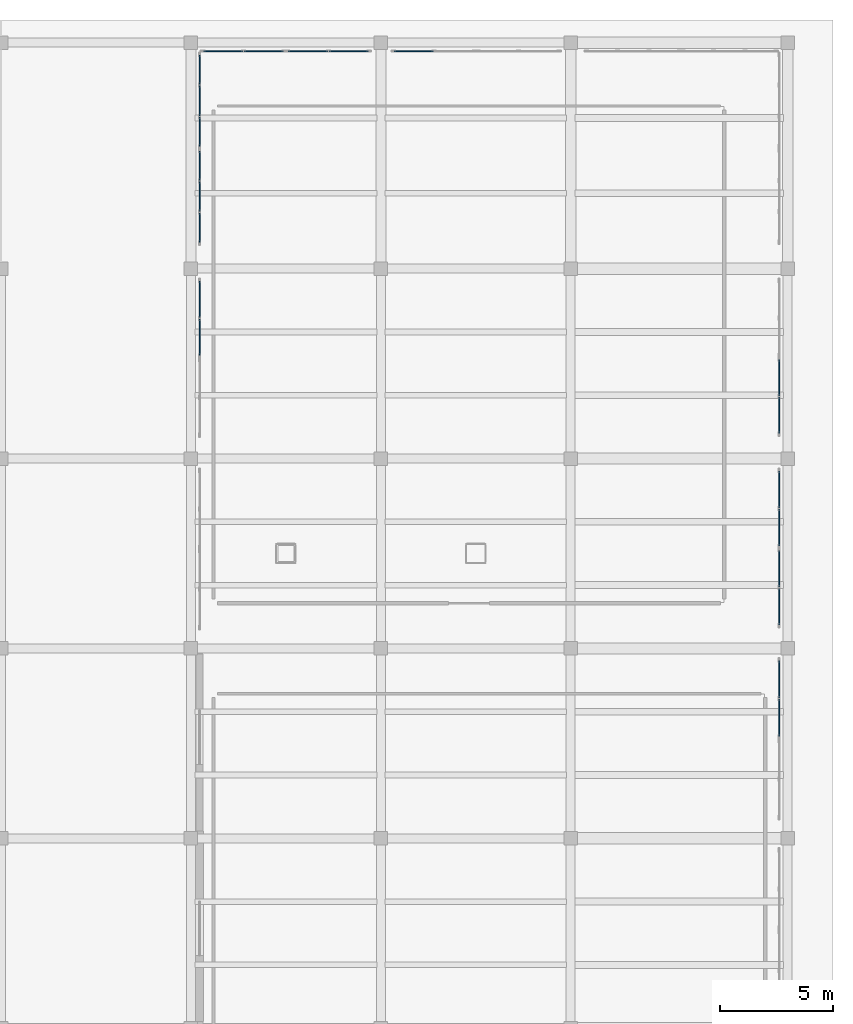
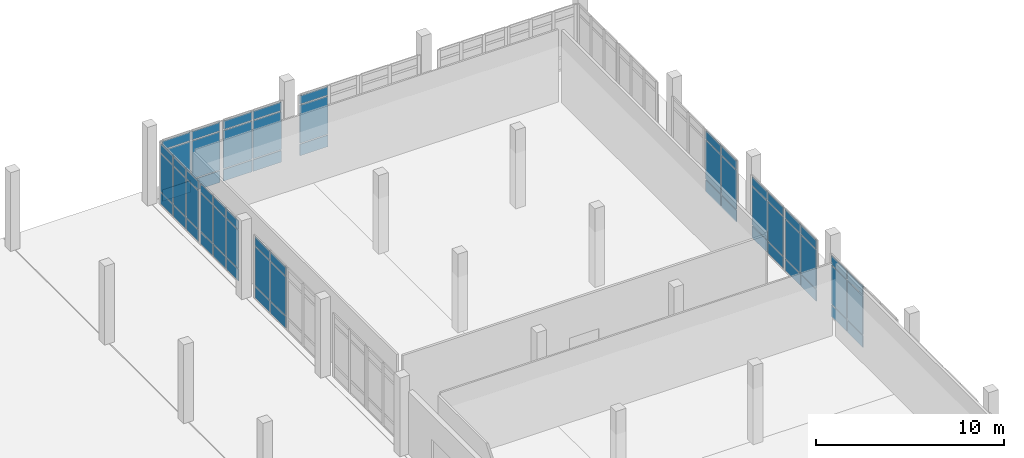
# One storey, part 42 of 64: 63 plates, 10 elements without a shape of their own.
"""IFC4 building model written with IfcOpenShell, lengths in metres."""

import ifcopenshell
import ifcopenshell.guid

model = None  # the IFC model being written
_history = None  # IfcOwnerHistory: only IFC2X3 demands one
_inside = {}  # id of a spatial element -> (the spatial element, [elements in it])
_under = {}  # id of a project, library or spatial element -> (it, [spatial elements below it])
_declared = {}  # id of a project -> (the project, [libraries it declares])
_typed = {}  # id of a type object -> (the type object, [elements of that type])
_made_of = {}  # id of a material, layer set ... -> (it, [elements and type objects made of it])


def new_model(schema):
    """Start an empty IFC model of exactly this schema.

    Asked for "IFC4X3", IfcOpenShell would pick the latest addendum, in which some entities
    have other attributes; the version numbers below select the first issue.
    IFC2X3 requires an IfcOwnerHistory on every rooted entity: one is made here for all.
    """
    global model, _history
    if schema == "IFC4X3":
        model = ifcopenshell.file(schema_version=(4, 3, 0, 0))
    else:
        model = ifcopenshell.file(schema=schema)
    _inside.clear()
    _under.clear()
    _declared.clear()
    _typed.clear()
    _made_of.clear()
    _history = None
    if model.schema == "IFC2X3":
        org = make("IfcOrganization", Name="unknown")
        user = make(
            "IfcPersonAndOrganization",
            ThePerson=make("IfcPerson", FamilyName="unknown"),
            TheOrganization=org,
        )
        app = make(
            "IfcApplication",
            ApplicationDeveloper=org,
            Version="unknown",
            ApplicationFullName="unknown",
            ApplicationIdentifier="unknown",
        )
        _history = make(
            "IfcOwnerHistory",
            OwningUser=user,
            OwningApplication=app,
            ChangeAction="ADDED",
            CreationDate=0,
        )
    return model


def make(cls, **values):
    """One entity of the class cls with the attributes given. An attribute that is None is left unset."""
    return model.create_entity(
        cls, **{name: value for name, value in values.items() if value is not None}
    )


def rooted(cls, **values):
    """An entity with a GlobalId (a new one), such as an element, a storey or a relation."""
    return make(cls, GlobalId=ifcopenshell.guid.new(), OwnerHistory=_history, **values)


def si_unit(unit_type, name, prefix=None):
    """IfcSIUnit, for example si_unit("LENGTHUNIT", "METRE", prefix="MILLI")."""
    return make("IfcSIUnit", UnitType=unit_type, Prefix=prefix, Name=name)


def derived_unit(unit_type, elements):
    """IfcDerivedUnit: a product of units, each with its exponent."""
    return make(
        "IfcDerivedUnit",
        Elements=[
            make("IfcDerivedUnitElement", Unit=unit, Exponent=power)
            for unit, power in elements
        ],
        UnitType=unit_type,
    )


def assignment(units):
    """IfcUnitAssignment: the units of a project."""
    return None if units is None else make("IfcUnitAssignment", Units=units)


def point(xyz):
    """IfcCartesianPoint."""
    return None if xyz is None else make("IfcCartesianPoint", Coordinates=xyz)


def direction(xyz):
    """IfcDirection."""
    return None if xyz is None else make("IfcDirection", DirectionRatios=xyz)


def frame(location, z_axis=None, x_axis=None):
    """IfcAxis2Placement3D, a coordinate frame: its origin and axes. An axis left out is left unset."""
    return make(
        "IfcAxis2Placement3D",
        Location=point(location),
        Axis=direction(z_axis),
        RefDirection=direction(x_axis),
    )


def frame_2d(location, x_axis=None):
    """IfcAxis2Placement2D, a coordinate frame in the plane: its origin and x axis."""
    return make(
        "IfcAxis2Placement2D", Location=point(location), RefDirection=direction(x_axis)
    )


def origin():
    """The frame at (0, 0, 0) with its axes left unset."""
    return frame((0.0, 0.0, 0.0))


def origin_2d():
    """The frame at (0, 0) in the plane with its x axis left unset."""
    return frame_2d((0.0, 0.0))


def place(relative_to, where):
    """IfcLocalPlacement: puts the frame where relative to a parent placement (None: the world)."""
    return make(
        "IfcLocalPlacement", PlacementRelTo=relative_to, RelativePlacement=where
    )


def context(
    kind, dimensions, precision=None, world=None, true_north=None, identifier=None
):
    """IfcGeometricRepresentationContext, for example the 3D "Model" context."""
    return make(
        "IfcGeometricRepresentationContext",
        ContextIdentifier=identifier,
        ContextType=kind,
        CoordinateSpaceDimension=dimensions,
        Precision=precision,
        WorldCoordinateSystem=world,
        TrueNorth=true_north,
    )


def subcontext(parent, identifier, kind, view, scale=None):
    """IfcGeometricRepresentationSubContext, for example "Body" below "Model"."""
    return make(
        "IfcGeometricRepresentationSubContext",
        ContextIdentifier=identifier,
        ContextType=kind,
        ParentContext=parent,
        TargetScale=scale,
        TargetView=view,
    )


def project(units=None, contexts=None):
    """IfcProject with its units and contexts."""
    return rooted(
        "IfcProject",
        Name="project",
        RepresentationContexts=contexts,
        UnitsInContext=assignment(units),
    )


def spatial(cls, under=None, at=None, **own):
    """A site, building, storey or space (cls), placed at a placement, below another one or the project."""
    s = rooted(cls, ObjectPlacement=at, **own)
    if under is not None:
        _under.setdefault(under.id(), (under, []))[1].append(s)
    return s


def profile(cls, at=None, kind="AREA", **sizes):
    """A parametric profile (cls). Its sizes go by their IFC names, for example OverallWidth=200.0."""
    return make(cls, ProfileType=kind, Position=at, **sizes)


def rectangle(**sizes):
    """IfcRectangleProfileDef."""
    return profile("IfcRectangleProfileDef", **sizes)


def extrude(swept, where, along, depth):
    """IfcExtrudedAreaSolid: the profile swept, set in the frame where, extruded along a direction by depth."""
    return make(
        "IfcExtrudedAreaSolid",
        SweptArea=swept,
        Position=where,
        ExtrudedDirection=direction(along),
        Depth=depth,
    )


def shape(context_of_items, identifier, shape_type, items):
    """IfcShapeRepresentation: the items that make up one representation, for example the "Body"."""
    return make(
        "IfcShapeRepresentation",
        ContextOfItems=context_of_items,
        RepresentationIdentifier=identifier,
        RepresentationType=shape_type,
        Items=items,
    )


def material(Name=None, Category=None):
    """IfcMaterial."""
    return make("IfcMaterial", Name=Name, Category=Category)


def layer(
    of_material, thickness, ventilated=None, Name=None, Category=None, Priority=None
):
    """IfcMaterialLayer: one layer of a wall or slab, of a material (None: an air gap)."""
    return make(
        "IfcMaterialLayer",
        Material=of_material,
        LayerThickness=thickness,
        IsVentilated=ventilated,
        Name=Name,
        Category=Category,
        Priority=Priority,
    )


def layer_set(layers, Name=None):
    """IfcMaterialLayerSet."""
    return make("IfcMaterialLayerSet", MaterialLayers=layers, LayerSetName=Name)


def made_of(thing, what):
    """Note that an element or type object is made of a material, layer set ...; save() writes the relation."""
    if what is not None:
        _made_of.setdefault(what.id(), (what, []))[1].append(thing)
    return thing


def type_object(cls, material=None, **own):
    """A type object (cls), such as IfcWallType, which elements share."""
    return made_of(rooted(cls, **own), material)


def element(
    cls,
    number,
    at=None,
    inside=None,
    cuts=None,
    type_object=None,
    material=None,
    context=None,
    identifier="Body",
    shape_type=None,
    held_by="IfcProductDefinitionShape",
    body=None,
    shapes=None,
    **own,
):
    """One element of the class cls, such as IfcWall. Its Tag is "e" and its number.

    at: its placement. inside: the storey or other place that contains it. cuts: it is an
    opening in that element (IfcRelVoidsElement). A single representation is given by context,
    identifier, shape_type and body (its items); several are given by shapes. held_by: the class
    of the entity that holds the representations. save() writes the other relations.
    """
    e = rooted(cls, Tag="e%d" % number, ObjectPlacement=at, **own)
    if body is not None:
        shapes = [shape(context, identifier, shape_type, body)]
    if shapes is not None:
        e.Representation = make(held_by, Representations=shapes)
    if inside is not None:
        _inside.setdefault(inside.id(), (inside, []))[1].append(e)
    if cuts is not None:
        rooted(
            "IfcRelVoidsElement", RelatingBuildingElement=cuts, RelatedOpeningElement=e
        )
    if type_object is not None:
        _typed.setdefault(type_object.id(), (type_object, []))[1].append(e)
    return made_of(e, material)


def aggregate(whole, parts):
    """IfcRelAggregates: a whole, such as a stair, and the parts it consists of."""
    return rooted("IfcRelAggregates", RelatingObject=whole, RelatedObjects=parts)


def save(model, path):
    """Write the relations noted so far, then the file.

    IfcRelAggregates (storeys below a building ...), IfcRelContainedInSpatialStructure (elements
    in a storey), IfcRelDefinesByType, IfcRelAssociatesMaterial and IfcRelDeclares: one each for
    every whole, place, type object, material and project.
    """
    for whole, parts in _under.values():
        aggregate(whole, parts)
    for where, things in _inside.values():
        rooted(
            "IfcRelContainedInSpatialStructure",
            RelatedElements=things,
            RelatingStructure=where,
        )
    for kind, things in _typed.values():
        rooted("IfcRelDefinesByType", RelatedObjects=things, RelatingType=kind)
    for what, things in _made_of.values():
        rooted("IfcRelAssociatesMaterial", RelatedObjects=things, RelatingMaterial=what)
    for by, libraries in _declared.values():
        rooted("IfcRelDeclares", RelatingContext=by, RelatedDefinitions=libraries)
    model.write(path)


model = new_model("IFC4")

# Units and contexts
model_context = context("Model", 3, precision=1e-05, world=origin(), true_north=direction((0.0, 1.0)))
body_context = subcontext(model_context, "Body", "Model", "MODEL_VIEW")
ifc_project = project(units=[si_unit("LENGTHUNIT", "METRE"), si_unit("AREAUNIT", "SQUARE_METRE"), si_unit("VOLUMEUNIT", "CUBIC_METRE"), si_unit("PLANEANGLEUNIT", "RADIAN"), si_unit("MASSUNIT", "GRAM", prefix="KILO"), derived_unit("THERMALTRANSMITTANCEUNIT", [(si_unit("POWERUNIT", "WATT"), 1), (si_unit("LENGTHUNIT", "METRE"), -2), (si_unit("THERMODYNAMICTEMPERATUREUNIT", "KELVIN"), -1)])], contexts=[model_context])

# Site, building, storey
site_placement = place(None, origin())
site = spatial("IfcSite", under=ifc_project, at=site_placement, CompositionType="ELEMENT")
building_placement = place(site_placement, origin())
building = spatial("IfcBuilding", under=site, at=building_placement, Name="Elbkamm Science Centre", CompositionType="ELEMENT")
storey_placement = place(building_placement, origin())
storey = spatial("IfcBuildingStorey", under=building, at=storey_placement, Name="L00", CompositionType="ELEMENT", Elevation=0.0)

# Curtain wall, plates
ifc_material_1 = material(Name="Powder-coated aluminium and triple low-E glazing", Category="aluminium")
ifc_layer_1 = layer(ifc_material_1, 0.159912109375)
ifc_layer_set_1 = layer_set([ifc_layer_1], Name="Powder-coated aluminium and triple low-E glazing")
curtain_wall_type_1 = type_object("IfcCurtainWallType", Name="CW-UNIT-3420x4080", PredefinedType="USERDEFINED", material=ifc_layer_set_1)
curtain_wall_1_placement = place(storey_placement, origin())
curtain_wall_1 = element("IfcCurtainWall", 1, at=curtain_wall_1_placement, inside=storey, type_object=curtain_wall_type_1, Name="L00 Unitised Curtain Wall 105", ObjectType="UNITISED CURTAIN WALL", PredefinedType="USERDEFINED")
ifc_material_2 = material(Name="Triple solar-control insulated safety glass", Category="glass")
ifc_layer_2 = layer(ifc_material_2, 0.048095703125)
ifc_layer_set_2 = layer_set([ifc_layer_2], Name="Triple solar-control insulated safety glass")
plate_type = type_object("IfcPlateType", Name="CW-PNL-48", PredefinedType="CURTAIN_PANEL", material=ifc_layer_set_2)
plate_1_placement = place(storey_placement, frame((134.780029296875, 97.767333984375, 0.06982421875), z_axis=(0.0, 0.0, 1.0), x_axis=(0.0, 1.0, 0.0)))
plate_1 = element("IfcPlate", 2, at=plate_1_placement, type_object=plate_type, Name="CW-052 panel 1.1", PredefinedType="CURTAIN_PANEL", context=body_context, shape_type="SweptSolid", body=[
    extrude(rectangle(XDim=1.604248046875, YDim=0.048095703125, at=origin_2d()), origin(), (0.0, 0.0, 1.0), 0.7451171875),
])
plate_2_placement = place(storey_placement, frame((134.780029296875, 97.767333984375, 0.884765625), z_axis=(0.0, 0.0, 1.0), x_axis=(0.0, 1.0, 0.0)))
plate_2 = element("IfcPlate", 3, at=plate_2_placement, type_object=plate_type, Name="CW-052 panel 1.2", PredefinedType="CURTAIN_PANEL", context=body_context, shape_type="SweptSolid", body=[
    extrude(rectangle(XDim=1.604248046875, YDim=0.048095703125, at=origin_2d()), origin(), (0.0, 0.0, 1.0), 2.510009765625),
])
plate_3_placement = place(storey_placement, frame((134.780029296875, 97.767333984375, 3.465087890625), z_axis=(0.0, 0.0, 1.0), x_axis=(0.0, 1.0, 0.0)))
plate_3 = element("IfcPlate", 4, at=plate_3_placement, type_object=plate_type, Name="CW-052 panel 1.3", PredefinedType="CURTAIN_PANEL", context=body_context, shape_type="SweptSolid", body=[
    extrude(rectangle(XDim=1.604248046875, YDim=0.048095703125, at=origin_2d()), origin(), (0.0, 0.0, 1.0), 0.544921875),
])
plate_4_placement = place(storey_placement, frame((134.780029296875, 99.441650390625, 0.06982421875), z_axis=(0.0, 0.0, 1.0), x_axis=(0.0, 1.0, 0.0)))
plate_4 = element("IfcPlate", 5, at=plate_4_placement, type_object=plate_type, Name="CW-052 panel 2.1", PredefinedType="CURTAIN_PANEL", context=body_context, shape_type="SweptSolid", body=[
    extrude(rectangle(XDim=1.604248046875, YDim=0.048095703125, at=origin_2d()), origin(), (0.0, 0.0, 1.0), 0.7451171875),
])
plate_5_placement = place(storey_placement, frame((134.780029296875, 99.441650390625, 0.884765625), z_axis=(0.0, 0.0, 1.0), x_axis=(0.0, 1.0, 0.0)))
plate_5 = element("IfcPlate", 6, at=plate_5_placement, type_object=plate_type, Name="CW-052 panel 2.2", PredefinedType="CURTAIN_PANEL", context=body_context, shape_type="SweptSolid", body=[
    extrude(rectangle(XDim=1.604248046875, YDim=0.048095703125, at=origin_2d()), origin(), (0.0, 0.0, 1.0), 2.510009765625),
])
plate_6_placement = place(storey_placement, frame((134.780029296875, 99.441650390625, 3.465087890625), z_axis=(0.0, 0.0, 1.0), x_axis=(0.0, 1.0, 0.0)))
plate_6 = element("IfcPlate", 7, at=plate_6_placement, type_object=plate_type, Name="CW-052 panel 2.3", PredefinedType="CURTAIN_PANEL", context=body_context, shape_type="SweptSolid", body=[
    extrude(rectangle(XDim=1.604248046875, YDim=0.048095703125, at=origin_2d()), origin(), (0.0, 0.0, 1.0), 0.544921875),
])
aggregate(curtain_wall_1, [plate_1, plate_2, plate_3, plate_4, plate_5, plate_6])

ifc_layer_3 = layer(ifc_material_1, 0.159912109375)
ifc_layer_set_3 = layer_set([ifc_layer_3], Name="Powder-coated aluminium and triple low-E glazing")
curtain_wall_type_2 = type_object("IfcCurtainWallType", Name="CW-UNIT-4160x4040", PredefinedType="USERDEFINED", material=ifc_layer_set_3)
curtain_wall_2_placement = place(storey_placement, origin())
curtain_wall_2 = element("IfcCurtainWall", 8, at=curtain_wall_2_placement, inside=storey, type_object=curtain_wall_type_2, Name="L00 Unitised Curtain Wall 106", ObjectType="UNITISED CURTAIN WALL", PredefinedType="USERDEFINED")
plate_7_placement = place(storey_placement, frame((134.780029296875, 102.61962890625, 0.06982421875), z_axis=(0.0, 0.0, 1.0), x_axis=(0.0, 1.0, 0.0)))
plate_7 = element("IfcPlate", 9, at=plate_7_placement, type_object=plate_type, Name="CW-053 panel 1.1", PredefinedType="CURTAIN_PANEL", context=body_context, shape_type="SweptSolid", body=[
    extrude(rectangle(XDim=1.282470703125, YDim=0.048095703125, at=origin_2d()), origin(), (0.0, 0.0, 1.0), 0.7451171875),
])
plate_8_placement = place(storey_placement, frame((134.780029296875, 102.61962890625, 0.885009765625), z_axis=(0.0, 0.0, 1.0), x_axis=(0.0, 1.0, 0.0)))
plate_8 = element("IfcPlate", 10, at=plate_8_placement, type_object=plate_type, Name="CW-053 panel 1.2", PredefinedType="CURTAIN_PANEL", context=body_context, shape_type="SweptSolid", body=[
    extrude(rectangle(XDim=1.282470703125, YDim=0.048095703125, at=origin_2d()), origin(), (0.0, 0.0, 1.0), 2.4599609375),
])
plate_9_placement = place(storey_placement, frame((134.780029296875, 102.61962890625, 3.4150390625), z_axis=(0.0, 0.0, 1.0), x_axis=(0.0, 1.0, 0.0)))
plate_9 = element("IfcPlate", 11, at=plate_9_placement, type_object=plate_type, Name="CW-053 panel 1.3", PredefinedType="CURTAIN_PANEL", context=body_context, shape_type="SweptSolid", body=[
    extrude(rectangle(XDim=1.282470703125, YDim=0.048095703125, at=origin_2d()), origin(), (0.0, 0.0, 1.0), 0.544921875),
])
plate_10_placement = place(storey_placement, frame((134.780029296875, 103.98974609375, 0.06982421875), z_axis=(0.0, 0.0, 1.0), x_axis=(0.0, 1.0, 0.0)))
plate_10 = element("IfcPlate", 12, at=plate_10_placement, type_object=plate_type, Name="CW-053 panel 2.1", PredefinedType="CURTAIN_PANEL", context=body_context, shape_type="SweptSolid", body=[
    extrude(rectangle(XDim=1.317626953125, YDim=0.048095703125, at=origin_2d()), origin(), (0.0, 0.0, 1.0), 0.7451171875),
])
plate_11_placement = place(storey_placement, frame((134.780029296875, 103.98974609375, 0.885009765625), z_axis=(0.0, 0.0, 1.0), x_axis=(0.0, 1.0, 0.0)))
plate_11 = element("IfcPlate", 13, at=plate_11_placement, type_object=plate_type, Name="CW-053 panel 2.2", PredefinedType="CURTAIN_PANEL", context=body_context, shape_type="SweptSolid", body=[
    extrude(rectangle(XDim=1.317626953125, YDim=0.048095703125, at=origin_2d()), origin(), (0.0, 0.0, 1.0), 2.4599609375),
])
plate_12_placement = place(storey_placement, frame((134.780029296875, 103.98974609375, 3.4150390625), z_axis=(0.0, 0.0, 1.0), x_axis=(0.0, 1.0, 0.0)))
plate_12 = element("IfcPlate", 14, at=plate_12_placement, type_object=plate_type, Name="CW-053 panel 2.3", PredefinedType="CURTAIN_PANEL", context=body_context, shape_type="SweptSolid", body=[
    extrude(rectangle(XDim=1.317626953125, YDim=0.048095703125, at=origin_2d()), origin(), (0.0, 0.0, 1.0), 0.544921875),
])
plate_13_placement = place(storey_placement, frame((134.780029296875, 105.359619140625, 0.06982421875), z_axis=(0.0, 0.0, 1.0), x_axis=(0.0, 1.0, 0.0)))
plate_13 = element("IfcPlate", 15, at=plate_13_placement, type_object=plate_type, Name="CW-053 panel 3.1", PredefinedType="CURTAIN_PANEL", context=body_context, shape_type="SweptSolid", body=[
    extrude(rectangle(XDim=1.282470703125, YDim=0.048095703125, at=origin_2d()), origin(), (0.0, 0.0, 1.0), 0.7451171875),
])
plate_14_placement = place(storey_placement, frame((134.780029296875, 105.359619140625, 0.885009765625), z_axis=(0.0, 0.0, 1.0), x_axis=(0.0, 1.0, 0.0)))
plate_14 = element("IfcPlate", 16, at=plate_14_placement, type_object=plate_type, Name="CW-053 panel 3.2", PredefinedType="CURTAIN_PANEL", context=body_context, shape_type="SweptSolid", body=[
    extrude(rectangle(XDim=1.282470703125, YDim=0.048095703125, at=origin_2d()), origin(), (0.0, 0.0, 1.0), 2.4599609375),
])
plate_15_placement = place(storey_placement, frame((134.780029296875, 105.359619140625, 3.4150390625), z_axis=(0.0, 0.0, 1.0), x_axis=(0.0, 1.0, 0.0)))
plate_15 = element("IfcPlate", 17, at=plate_15_placement, type_object=plate_type, Name="CW-053 panel 3.3", PredefinedType="CURTAIN_PANEL", context=body_context, shape_type="SweptSolid", body=[
    extrude(rectangle(XDim=1.282470703125, YDim=0.048095703125, at=origin_2d()), origin(), (0.0, 0.0, 1.0), 0.544921875),
])
aggregate(curtain_wall_2, [plate_7, plate_8, plate_9, plate_10, plate_11, plate_12, plate_13, plate_14, plate_15])

curtain_wall_3_placement = place(storey_placement, origin())
curtain_wall_3 = element("IfcCurtainWall", 18, at=curtain_wall_3_placement, inside=storey, type_object=curtain_wall_type_2, Name="L00 Unitised Curtain Wall 107", ObjectType="UNITISED CURTAIN WALL", PredefinedType="USERDEFINED")
plate_16_placement = place(storey_placement, frame((134.780029296875, 106.8623046875, 0.06982421875), z_axis=(0.0, 0.0, 1.0), x_axis=(0.0, 1.0, 0.0)))
plate_16 = element("IfcPlate", 19, at=plate_16_placement, type_object=plate_type, Name="CW-053 panel 1.1", PredefinedType="CURTAIN_PANEL", context=body_context, shape_type="SweptSolid", body=[
    extrude(rectangle(XDim=1.282470703125, YDim=0.048095703125, at=origin_2d()), origin(), (0.0, 0.0, 1.0), 0.7451171875),
])
plate_17_placement = place(storey_placement, frame((134.780029296875, 106.8623046875, 0.885009765625), z_axis=(0.0, 0.0, 1.0), x_axis=(0.0, 1.0, 0.0)))
plate_17 = element("IfcPlate", 20, at=plate_17_placement, type_object=plate_type, Name="CW-053 panel 1.2", PredefinedType="CURTAIN_PANEL", context=body_context, shape_type="SweptSolid", body=[
    extrude(rectangle(XDim=1.282470703125, YDim=0.048095703125, at=origin_2d()), origin(), (0.0, 0.0, 1.0), 2.4599609375),
])
plate_18_placement = place(storey_placement, frame((134.780029296875, 106.8623046875, 3.4150390625), z_axis=(0.0, 0.0, 1.0), x_axis=(0.0, 1.0, 0.0)))
plate_18 = element("IfcPlate", 21, at=plate_18_placement, type_object=plate_type, Name="CW-053 panel 1.3", PredefinedType="CURTAIN_PANEL", context=body_context, shape_type="SweptSolid", body=[
    extrude(rectangle(XDim=1.282470703125, YDim=0.048095703125, at=origin_2d()), origin(), (0.0, 0.0, 1.0), 0.544921875),
])
plate_19_placement = place(storey_placement, frame((134.780029296875, 108.232421875, 0.06982421875), z_axis=(0.0, 0.0, 1.0), x_axis=(0.0, 1.0, 0.0)))
plate_19 = element("IfcPlate", 22, at=plate_19_placement, type_object=plate_type, Name="CW-053 panel 2.1", PredefinedType="CURTAIN_PANEL", context=body_context, shape_type="SweptSolid", body=[
    extrude(rectangle(XDim=1.317626953125, YDim=0.048095703125, at=origin_2d()), origin(), (0.0, 0.0, 1.0), 0.7451171875),
])
plate_20_placement = place(storey_placement, frame((134.780029296875, 108.232421875, 0.885009765625), z_axis=(0.0, 0.0, 1.0), x_axis=(0.0, 1.0, 0.0)))
plate_20 = element("IfcPlate", 23, at=plate_20_placement, type_object=plate_type, Name="CW-053 panel 2.2", PredefinedType="CURTAIN_PANEL", context=body_context, shape_type="SweptSolid", body=[
    extrude(rectangle(XDim=1.317626953125, YDim=0.048095703125, at=origin_2d()), origin(), (0.0, 0.0, 1.0), 2.4599609375),
])
plate_21_placement = place(storey_placement, frame((134.780029296875, 108.232421875, 3.4150390625), z_axis=(0.0, 0.0, 1.0), x_axis=(0.0, 1.0, 0.0)))
plate_21 = element("IfcPlate", 24, at=plate_21_placement, type_object=plate_type, Name="CW-053 panel 2.3", PredefinedType="CURTAIN_PANEL", context=body_context, shape_type="SweptSolid", body=[
    extrude(rectangle(XDim=1.317626953125, YDim=0.048095703125, at=origin_2d()), origin(), (0.0, 0.0, 1.0), 0.544921875),
])
plate_22_placement = place(storey_placement, frame((134.780029296875, 109.602294921875, 0.06982421875), z_axis=(0.0, 0.0, 1.0), x_axis=(0.0, 1.0, 0.0)))
plate_22 = element("IfcPlate", 25, at=plate_22_placement, type_object=plate_type, Name="CW-053 panel 3.1", PredefinedType="CURTAIN_PANEL", context=body_context, shape_type="SweptSolid", body=[
    extrude(rectangle(XDim=1.282470703125, YDim=0.048095703125, at=origin_2d()), origin(), (0.0, 0.0, 1.0), 0.7451171875),
])
plate_23_placement = place(storey_placement, frame((134.780029296875, 109.602294921875, 0.885009765625), z_axis=(0.0, 0.0, 1.0), x_axis=(0.0, 1.0, 0.0)))
plate_23 = element("IfcPlate", 26, at=plate_23_placement, type_object=plate_type, Name="CW-053 panel 3.2", PredefinedType="CURTAIN_PANEL", context=body_context, shape_type="SweptSolid", body=[
    extrude(rectangle(XDim=1.282470703125, YDim=0.048095703125, at=origin_2d()), origin(), (0.0, 0.0, 1.0), 2.4599609375),
])
plate_24_placement = place(storey_placement, frame((134.780029296875, 109.602294921875, 3.4150390625), z_axis=(0.0, 0.0, 1.0), x_axis=(0.0, 1.0, 0.0)))
plate_24 = element("IfcPlate", 27, at=plate_24_placement, type_object=plate_type, Name="CW-053 panel 3.3", PredefinedType="CURTAIN_PANEL", context=body_context, shape_type="SweptSolid", body=[
    extrude(rectangle(XDim=1.282470703125, YDim=0.048095703125, at=origin_2d()), origin(), (0.0, 0.0, 1.0), 0.544921875),
])
aggregate(curtain_wall_3, [plate_16, plate_17, plate_18, plate_19, plate_20, plate_21, plate_22, plate_23, plate_24])

ifc_layer_4 = layer(ifc_material_1, 0.159912109375)
ifc_layer_set_4 = layer_set([ifc_layer_4], Name="Powder-coated aluminium and triple low-E glazing")
curtain_wall_type_3 = type_object("IfcCurtainWallType", Name="CW-UNIT-3680x4040", PredefinedType="USERDEFINED", material=ifc_layer_set_4)
curtain_wall_4_placement = place(storey_placement, origin())
curtain_wall_4 = element("IfcCurtainWall", 28, at=curtain_wall_4_placement, inside=storey, type_object=curtain_wall_type_3, Name="L00 Unitised Curtain Wall 108", ObjectType="UNITISED CURTAIN WALL", PredefinedType="USERDEFINED")
plate_25_placement = place(storey_placement, frame((135.822265625, 110.419921875, 0.06982421875), z_axis=(0.0, 0.0, 1.0), x_axis=(1.0, 0.0, 0.0)))
plate_25 = element("IfcPlate", 29, at=plate_25_placement, type_object=plate_type, Name="CW-054 panel 1.1", PredefinedType="CURTAIN_PANEL", context=body_context, shape_type="SweptSolid", body=[
    extrude(rectangle(XDim=1.73193359375, YDim=0.048095703125, at=origin_2d()), origin(), (0.0, 0.0, 1.0), 0.7451171875),
])
plate_26_placement = place(storey_placement, frame((135.822265625, 110.419921875, 0.885009765625), z_axis=(0.0, 0.0, 1.0), x_axis=(1.0, 0.0, 0.0)))
plate_26 = element("IfcPlate", 30, at=plate_26_placement, type_object=plate_type, Name="CW-054 panel 1.2", PredefinedType="CURTAIN_PANEL", context=body_context, shape_type="SweptSolid", body=[
    extrude(rectangle(XDim=1.73193359375, YDim=0.048095703125, at=origin_2d()), origin(), (0.0, 0.0, 1.0), 2.4599609375),
])
plate_27_placement = place(storey_placement, frame((135.822265625, 110.419921875, 3.4150390625), z_axis=(0.0, 0.0, 1.0), x_axis=(1.0, 0.0, 0.0)))
plate_27 = element("IfcPlate", 31, at=plate_27_placement, type_object=plate_type, Name="CW-054 panel 1.3", PredefinedType="CURTAIN_PANEL", context=body_context, shape_type="SweptSolid", body=[
    extrude(rectangle(XDim=1.73193359375, YDim=0.048095703125, at=origin_2d()), origin(), (0.0, 0.0, 1.0), 0.544921875),
])
plate_28_placement = place(storey_placement, frame((137.6240234375, 110.419921875, 0.06982421875), z_axis=(0.0, 0.0, 1.0), x_axis=(1.0, 0.0, 0.0)))
plate_28 = element("IfcPlate", 32, at=plate_28_placement, type_object=plate_type, Name="CW-054 panel 2.1", PredefinedType="CURTAIN_PANEL", context=body_context, shape_type="SweptSolid", body=[
    extrude(rectangle(XDim=1.73193359375, YDim=0.048095703125, at=origin_2d()), origin(), (0.0, 0.0, 1.0), 0.7451171875),
])
plate_29_placement = place(storey_placement, frame((137.6240234375, 110.419921875, 0.885009765625), z_axis=(0.0, 0.0, 1.0), x_axis=(1.0, 0.0, 0.0)))
plate_29 = element("IfcPlate", 33, at=plate_29_placement, type_object=plate_type, Name="CW-054 panel 2.2", PredefinedType="CURTAIN_PANEL", context=body_context, shape_type="SweptSolid", body=[
    extrude(rectangle(XDim=1.73193359375, YDim=0.048095703125, at=origin_2d()), origin(), (0.0, 0.0, 1.0), 2.4599609375),
])
plate_30_placement = place(storey_placement, frame((137.6240234375, 110.419921875, 3.4150390625), z_axis=(0.0, 0.0, 1.0), x_axis=(1.0, 0.0, 0.0)))
plate_30 = element("IfcPlate", 34, at=plate_30_placement, type_object=plate_type, Name="CW-054 panel 2.3", PredefinedType="CURTAIN_PANEL", context=body_context, shape_type="SweptSolid", body=[
    extrude(rectangle(XDim=1.73193359375, YDim=0.048095703125, at=origin_2d()), origin(), (0.0, 0.0, 1.0), 0.544921875),
])
aggregate(curtain_wall_4, [plate_25, plate_26, plate_27, plate_28, plate_29, plate_30])

curtain_wall_5_placement = place(storey_placement, origin())
curtain_wall_5 = element("IfcCurtainWall", 35, at=curtain_wall_5_placement, inside=storey, type_object=curtain_wall_type_3, Name="L00 Unitised Curtain Wall 109", ObjectType="UNITISED CURTAIN WALL", PredefinedType="USERDEFINED")
plate_31_placement = place(storey_placement, frame((139.575927734375, 110.419921875, 0.06982421875), z_axis=(0.0, 0.0, 1.0), x_axis=(1.0, 0.0, 0.0)))
plate_31 = element("IfcPlate", 36, at=plate_31_placement, type_object=plate_type, Name="CW-054 panel 1.1", PredefinedType="CURTAIN_PANEL", context=body_context, shape_type="SweptSolid", body=[
    extrude(rectangle(XDim=1.73193359375, YDim=0.048095703125, at=origin_2d()), origin(), (0.0, 0.0, 1.0), 0.7451171875),
])
plate_32_placement = place(storey_placement, frame((139.575927734375, 110.419921875, 0.885009765625), z_axis=(0.0, 0.0, 1.0), x_axis=(1.0, 0.0, 0.0)))
plate_32 = element("IfcPlate", 37, at=plate_32_placement, type_object=plate_type, Name="CW-054 panel 1.2", PredefinedType="CURTAIN_PANEL", context=body_context, shape_type="SweptSolid", body=[
    extrude(rectangle(XDim=1.73193359375, YDim=0.048095703125, at=origin_2d()), origin(), (0.0, 0.0, 1.0), 2.4599609375),
])
plate_33_placement = place(storey_placement, frame((139.575927734375, 110.419921875, 3.4150390625), z_axis=(0.0, 0.0, 1.0), x_axis=(1.0, 0.0, 0.0)))
plate_33 = element("IfcPlate", 38, at=plate_33_placement, type_object=plate_type, Name="CW-054 panel 1.3", PredefinedType="CURTAIN_PANEL", context=body_context, shape_type="SweptSolid", body=[
    extrude(rectangle(XDim=1.73193359375, YDim=0.048095703125, at=origin_2d()), origin(), (0.0, 0.0, 1.0), 0.544921875),
])
plate_34_placement = place(storey_placement, frame((141.377685546875, 110.419921875, 0.06982421875), z_axis=(0.0, 0.0, 1.0), x_axis=(1.0, 0.0, 0.0)))
plate_34 = element("IfcPlate", 39, at=plate_34_placement, type_object=plate_type, Name="CW-054 panel 2.1", PredefinedType="CURTAIN_PANEL", context=body_context, shape_type="SweptSolid", body=[
    extrude(rectangle(XDim=1.73193359375, YDim=0.048095703125, at=origin_2d()), origin(), (0.0, 0.0, 1.0), 0.7451171875),
])
plate_35_placement = place(storey_placement, frame((141.377685546875, 110.419921875, 0.885009765625), z_axis=(0.0, 0.0, 1.0), x_axis=(1.0, 0.0, 0.0)))
plate_35 = element("IfcPlate", 40, at=plate_35_placement, type_object=plate_type, Name="CW-054 panel 2.2", PredefinedType="CURTAIN_PANEL", context=body_context, shape_type="SweptSolid", body=[
    extrude(rectangle(XDim=1.73193359375, YDim=0.048095703125, at=origin_2d()), origin(), (0.0, 0.0, 1.0), 2.4599609375),
])
plate_36_placement = place(storey_placement, frame((141.377685546875, 110.419921875, 3.4150390625), z_axis=(0.0, 0.0, 1.0), x_axis=(1.0, 0.0, 0.0)))
plate_36 = element("IfcPlate", 41, at=plate_36_placement, type_object=plate_type, Name="CW-054 panel 2.3", PredefinedType="CURTAIN_PANEL", context=body_context, shape_type="SweptSolid", body=[
    extrude(rectangle(XDim=1.73193359375, YDim=0.048095703125, at=origin_2d()), origin(), (0.0, 0.0, 1.0), 0.544921875),
])
aggregate(curtain_wall_5, [plate_31, plate_32, plate_33, plate_34, plate_35, plate_36])

ifc_layer_5 = layer(ifc_material_1, 0.159912109375)
ifc_layer_set_5 = layer_set([ifc_layer_5], Name="Powder-coated aluminium and triple low-E glazing")
curtain_wall_type_4 = type_object("IfcCurtainWallType", Name="CW-UNIT-3660x4040", PredefinedType="USERDEFINED", material=ifc_layer_set_5)
curtain_wall_6_placement = place(storey_placement, origin())
curtain_wall_6 = element("IfcCurtainWall", 42, at=curtain_wall_6_placement, inside=storey, type_object=curtain_wall_type_4, Name="L00 Unitised Curtain Wall 110", ObjectType="UNITISED CURTAIN WALL", PredefinedType="USERDEFINED")
plate_37_placement = place(storey_placement, frame((144.257568359375, 110.419921875, 0.06982421875), z_axis=(0.0, 0.0, 1.0), x_axis=(1.0, 0.0, 0.0)))
plate_37 = element("IfcPlate", 43, at=plate_37_placement, type_object=plate_type, Name="CW-055 panel 1.1", PredefinedType="CURTAIN_PANEL", context=body_context, shape_type="SweptSolid", body=[
    extrude(rectangle(XDim=1.7216796875, YDim=0.048095703125, at=origin_2d()), origin(), (0.0, 0.0, 1.0), 0.7451171875),
])
plate_38_placement = place(storey_placement, frame((144.257568359375, 110.419921875, 0.885009765625), z_axis=(0.0, 0.0, 1.0), x_axis=(1.0, 0.0, 0.0)))
plate_38 = element("IfcPlate", 44, at=plate_38_placement, type_object=plate_type, Name="CW-055 panel 1.2", PredefinedType="CURTAIN_PANEL", context=body_context, shape_type="SweptSolid", body=[
    extrude(rectangle(XDim=1.7216796875, YDim=0.048095703125, at=origin_2d()), origin(), (0.0, 0.0, 1.0), 2.4599609375),
])
plate_39_placement = place(storey_placement, frame((144.257568359375, 110.419921875, 3.4150390625), z_axis=(0.0, 0.0, 1.0), x_axis=(1.0, 0.0, 0.0)))
plate_39 = element("IfcPlate", 45, at=plate_39_placement, type_object=plate_type, Name="CW-055 panel 1.3", PredefinedType="CURTAIN_PANEL", context=body_context, shape_type="SweptSolid", body=[
    extrude(rectangle(XDim=1.7216796875, YDim=0.048095703125, at=origin_2d()), origin(), (0.0, 0.0, 1.0), 0.544921875),
])
aggregate(curtain_wall_6, [plate_37, plate_38, plate_39])

ifc_layer_6 = layer(ifc_material_1, 0.159912109375)
ifc_layer_set_6 = layer_set([ifc_layer_6], Name="Powder-coated aluminium and triple low-E glazing")
curtain_wall_type_5 = type_object("IfcCurtainWallType", Name="CW-UNIT-3400x4080", PredefinedType="USERDEFINED", material=ifc_layer_set_6)
curtain_wall_7_placement = place(storey_placement, origin())
curtain_wall_7 = element("IfcCurtainWall", 46, at=curtain_wall_7_placement, inside=storey, type_object=curtain_wall_type_5, Name="L00 Unitised Curtain Wall 117", ObjectType="UNITISED CURTAIN WALL", PredefinedType="USERDEFINED")
plate_40_placement = place(storey_placement, frame((160.419921875, 95.9775390625, 0.06982421875), z_axis=(0.0, 0.0, 1.0), x_axis=(0.0, -1.0, 0.0)))
plate_40 = element("IfcPlate", 47, at=plate_40_placement, type_object=plate_type, Name="CW-058 panel 1.1", PredefinedType="CURTAIN_PANEL", context=body_context, shape_type="SweptSolid", body=[
    extrude(rectangle(XDim=1.59033203125, YDim=0.048095703125, at=origin_2d()), origin(), (0.0, 0.0, 1.0), 0.7451171875),
])
plate_41_placement = place(storey_placement, frame((160.419921875, 95.9775390625, 0.884765625), z_axis=(0.0, 0.0, 1.0), x_axis=(0.0, -1.0, 0.0)))
plate_41 = element("IfcPlate", 48, at=plate_41_placement, type_object=plate_type, Name="CW-058 panel 1.2", PredefinedType="CURTAIN_PANEL", context=body_context, shape_type="SweptSolid", body=[
    extrude(rectangle(XDim=1.59033203125, YDim=0.048095703125, at=origin_2d()), origin(), (0.0, 0.0, 1.0), 2.510009765625),
])
plate_42_placement = place(storey_placement, frame((160.419921875, 95.9775390625, 3.465087890625), z_axis=(0.0, 0.0, 1.0), x_axis=(0.0, -1.0, 0.0)))
plate_42 = element("IfcPlate", 49, at=plate_42_placement, type_object=plate_type, Name="CW-058 panel 1.3", PredefinedType="CURTAIN_PANEL", context=body_context, shape_type="SweptSolid", body=[
    extrude(rectangle(XDim=1.59033203125, YDim=0.048095703125, at=origin_2d()), origin(), (0.0, 0.0, 1.0), 0.544921875),
])
plate_43_placement = place(storey_placement, frame((160.419921875, 94.317138671875, 0.06982421875), z_axis=(0.0, 0.0, 1.0), x_axis=(0.0, -1.0, 0.0)))
plate_43 = element("IfcPlate", 50, at=plate_43_placement, type_object=plate_type, Name="CW-058 panel 2.1", PredefinedType="CURTAIN_PANEL", context=body_context, shape_type="SweptSolid", body=[
    extrude(rectangle(XDim=1.59033203125, YDim=0.048095703125, at=origin_2d()), origin(), (0.0, 0.0, 1.0), 0.7451171875),
])
plate_44_placement = place(storey_placement, frame((160.419921875, 94.317138671875, 0.884765625), z_axis=(0.0, 0.0, 1.0), x_axis=(0.0, -1.0, 0.0)))
plate_44 = element("IfcPlate", 51, at=plate_44_placement, type_object=plate_type, Name="CW-058 panel 2.2", PredefinedType="CURTAIN_PANEL", context=body_context, shape_type="SweptSolid", body=[
    extrude(rectangle(XDim=1.59033203125, YDim=0.048095703125, at=origin_2d()), origin(), (0.0, 0.0, 1.0), 2.510009765625),
])
plate_45_placement = place(storey_placement, frame((160.419921875, 94.317138671875, 3.465087890625), z_axis=(0.0, 0.0, 1.0), x_axis=(0.0, -1.0, 0.0)))
plate_45 = element("IfcPlate", 52, at=plate_45_placement, type_object=plate_type, Name="CW-058 panel 2.3", PredefinedType="CURTAIN_PANEL", context=body_context, shape_type="SweptSolid", body=[
    extrude(rectangle(XDim=1.59033203125, YDim=0.048095703125, at=origin_2d()), origin(), (0.0, 0.0, 1.0), 0.544921875),
])
aggregate(curtain_wall_7, [plate_40, plate_41, plate_42, plate_43, plate_44, plate_45])

ifc_layer_7 = layer(ifc_material_1, 0.159912109375)
ifc_layer_set_7 = layer_set([ifc_layer_7], Name="Powder-coated aluminium and triple low-E glazing")
curtain_wall_type_6 = type_object("IfcCurtainWallType", Name="CW-UNIT-3440x4080", PredefinedType="USERDEFINED", material=ifc_layer_set_7)
curtain_wall_8_placement = place(storey_placement, origin())
curtain_wall_8 = element("IfcCurtainWall", 53, at=curtain_wall_8_placement, inside=storey, type_object=curtain_wall_type_6, Name="L00 Unitised Curtain Wall 118", ObjectType="UNITISED CURTAIN WALL", PredefinedType="USERDEFINED")
plate_46_placement = place(storey_placement, frame((160.419921875, 91.0380859375, 0.06982421875), z_axis=(0.0, 0.0, 1.0), x_axis=(0.0, -1.0, 0.0)))
plate_46 = element("IfcPlate", 54, at=plate_46_placement, type_object=plate_type, Name="CW-059 panel 1.1", PredefinedType="CURTAIN_PANEL", context=body_context, shape_type="SweptSolid", body=[
    extrude(rectangle(XDim=1.611328125, YDim=0.048095703125, at=origin_2d()), origin(), (0.0, 0.0, 1.0), 0.7451171875),
])
plate_47_placement = place(storey_placement, frame((160.419921875, 91.0380859375, 0.884765625), z_axis=(0.0, 0.0, 1.0), x_axis=(0.0, -1.0, 0.0)))
plate_47 = element("IfcPlate", 55, at=plate_47_placement, type_object=plate_type, Name="CW-059 panel 1.2", PredefinedType="CURTAIN_PANEL", context=body_context, shape_type="SweptSolid", body=[
    extrude(rectangle(XDim=1.611328125, YDim=0.048095703125, at=origin_2d()), origin(), (0.0, 0.0, 1.0), 2.510009765625),
])
plate_48_placement = place(storey_placement, frame((160.419921875, 91.0380859375, 3.465087890625), z_axis=(0.0, 0.0, 1.0), x_axis=(0.0, -1.0, 0.0)))
plate_48 = element("IfcPlate", 56, at=plate_48_placement, type_object=plate_type, Name="CW-059 panel 1.3", PredefinedType="CURTAIN_PANEL", context=body_context, shape_type="SweptSolid", body=[
    extrude(rectangle(XDim=1.611328125, YDim=0.048095703125, at=origin_2d()), origin(), (0.0, 0.0, 1.0), 0.544921875),
])
plate_49_placement = place(storey_placement, frame((160.419921875, 89.356689453125, 0.06982421875), z_axis=(0.0, 0.0, 1.0), x_axis=(0.0, -1.0, 0.0)))
plate_49 = element("IfcPlate", 57, at=plate_49_placement, type_object=plate_type, Name="CW-059 panel 2.1", PredefinedType="CURTAIN_PANEL", context=body_context, shape_type="SweptSolid", body=[
    extrude(rectangle(XDim=1.611328125, YDim=0.048095703125, at=origin_2d()), origin(), (0.0, 0.0, 1.0), 0.7451171875),
])
plate_50_placement = place(storey_placement, frame((160.419921875, 89.356689453125, 0.884765625), z_axis=(0.0, 0.0, 1.0), x_axis=(0.0, -1.0, 0.0)))
plate_50 = element("IfcPlate", 58, at=plate_50_placement, type_object=plate_type, Name="CW-059 panel 2.2", PredefinedType="CURTAIN_PANEL", context=body_context, shape_type="SweptSolid", body=[
    extrude(rectangle(XDim=1.611328125, YDim=0.048095703125, at=origin_2d()), origin(), (0.0, 0.0, 1.0), 2.510009765625),
])
plate_51_placement = place(storey_placement, frame((160.419921875, 89.356689453125, 3.465087890625), z_axis=(0.0, 0.0, 1.0), x_axis=(0.0, -1.0, 0.0)))
plate_51 = element("IfcPlate", 59, at=plate_51_placement, type_object=plate_type, Name="CW-059 panel 2.3", PredefinedType="CURTAIN_PANEL", context=body_context, shape_type="SweptSolid", body=[
    extrude(rectangle(XDim=1.611328125, YDim=0.048095703125, at=origin_2d()), origin(), (0.0, 0.0, 1.0), 0.544921875),
])
aggregate(curtain_wall_8, [plate_46, plate_47, plate_48, plate_49, plate_50, plate_51])

curtain_wall_9_placement = place(storey_placement, origin())
curtain_wall_9 = element("IfcCurtainWall", 60, at=curtain_wall_9_placement, inside=storey, type_object=curtain_wall_type_6, Name="L00 Unitised Curtain Wall 119", ObjectType="UNITISED CURTAIN WALL", PredefinedType="USERDEFINED")
plate_52_placement = place(storey_placement, frame((160.419921875, 87.525146484375, 0.06982421875), z_axis=(0.0, 0.0, 1.0), x_axis=(0.0, -1.0, 0.0)))
plate_52 = element("IfcPlate", 61, at=plate_52_placement, type_object=plate_type, Name="CW-059 panel 1.1", PredefinedType="CURTAIN_PANEL", context=body_context, shape_type="SweptSolid", body=[
    extrude(rectangle(XDim=1.611328125, YDim=0.048095703125, at=origin_2d()), origin(), (0.0, 0.0, 1.0), 0.7451171875),
])
plate_53_placement = place(storey_placement, frame((160.419921875, 87.525146484375, 0.884765625), z_axis=(0.0, 0.0, 1.0), x_axis=(0.0, -1.0, 0.0)))
plate_53 = element("IfcPlate", 62, at=plate_53_placement, type_object=plate_type, Name="CW-059 panel 1.2", PredefinedType="CURTAIN_PANEL", context=body_context, shape_type="SweptSolid", body=[
    extrude(rectangle(XDim=1.611328125, YDim=0.048095703125, at=origin_2d()), origin(), (0.0, 0.0, 1.0), 2.510009765625),
])
plate_54_placement = place(storey_placement, frame((160.419921875, 87.525146484375, 3.465087890625), z_axis=(0.0, 0.0, 1.0), x_axis=(0.0, -1.0, 0.0)))
plate_54 = element("IfcPlate", 63, at=plate_54_placement, type_object=plate_type, Name="CW-059 panel 1.3", PredefinedType="CURTAIN_PANEL", context=body_context, shape_type="SweptSolid", body=[
    extrude(rectangle(XDim=1.611328125, YDim=0.048095703125, at=origin_2d()), origin(), (0.0, 0.0, 1.0), 0.544921875),
])
plate_55_placement = place(storey_placement, frame((160.419921875, 85.84375, 0.06982421875), z_axis=(0.0, 0.0, 1.0), x_axis=(0.0, -1.0, 0.0)))
plate_55 = element("IfcPlate", 64, at=plate_55_placement, type_object=plate_type, Name="CW-059 panel 2.1", PredefinedType="CURTAIN_PANEL", context=body_context, shape_type="SweptSolid", body=[
    extrude(rectangle(XDim=1.611328125, YDim=0.048095703125, at=origin_2d()), origin(), (0.0, 0.0, 1.0), 0.7451171875),
])
plate_56_placement = place(storey_placement, frame((160.419921875, 85.84375, 0.884765625), z_axis=(0.0, 0.0, 1.0), x_axis=(0.0, -1.0, 0.0)))
plate_56 = element("IfcPlate", 65, at=plate_56_placement, type_object=plate_type, Name="CW-059 panel 2.2", PredefinedType="CURTAIN_PANEL", context=body_context, shape_type="SweptSolid", body=[
    extrude(rectangle(XDim=1.611328125, YDim=0.048095703125, at=origin_2d()), origin(), (0.0, 0.0, 1.0), 2.510009765625),
])
plate_57_placement = place(storey_placement, frame((160.419921875, 85.84375, 3.465087890625), z_axis=(0.0, 0.0, 1.0), x_axis=(0.0, -1.0, 0.0)))
plate_57 = element("IfcPlate", 66, at=plate_57_placement, type_object=plate_type, Name="CW-059 panel 2.3", PredefinedType="CURTAIN_PANEL", context=body_context, shape_type="SweptSolid", body=[
    extrude(rectangle(XDim=1.611328125, YDim=0.048095703125, at=origin_2d()), origin(), (0.0, 0.0, 1.0), 0.544921875),
])
aggregate(curtain_wall_9, [plate_52, plate_53, plate_54, plate_55, plate_56, plate_57])

ifc_layer_8 = layer(ifc_material_1, 0.159912109375)
ifc_layer_set_8 = layer_set([ifc_layer_8], Name="Powder-coated aluminium and triple low-E glazing")
curtain_wall_type_7 = type_object("IfcCurtainWallType", Name="CW-UNIT-3480x4080", PredefinedType="USERDEFINED", material=ifc_layer_set_8)
curtain_wall_10_placement = place(storey_placement, origin())
curtain_wall_10 = element("IfcCurtainWall", 67, at=curtain_wall_10_placement, inside=storey, type_object=curtain_wall_type_7, Name="L00 Unitised Curtain Wall 120", ObjectType="UNITISED CURTAIN WALL", PredefinedType="USERDEFINED")
plate_58_placement = place(storey_placement, frame((160.419921875, 82.62744140625, 0.06982421875), z_axis=(0.0, 0.0, 1.0), x_axis=(0.0, -1.0, 0.0)))
plate_58 = element("IfcPlate", 68, at=plate_58_placement, type_object=plate_type, Name="CW-060 panel 1.1", PredefinedType="CURTAIN_PANEL", context=body_context, shape_type="SweptSolid", body=[
    extrude(rectangle(XDim=1.63232421875, YDim=0.048095703125, at=origin_2d()), origin(), (0.0, 0.0, 1.0), 0.7451171875),
])
plate_59_placement = place(storey_placement, frame((160.419921875, 82.62744140625, 0.884765625), z_axis=(0.0, 0.0, 1.0), x_axis=(0.0, -1.0, 0.0)))
plate_59 = element("IfcPlate", 69, at=plate_59_placement, type_object=plate_type, Name="CW-060 panel 1.2", PredefinedType="CURTAIN_PANEL", context=body_context, shape_type="SweptSolid", body=[
    extrude(rectangle(XDim=1.63232421875, YDim=0.048095703125, at=origin_2d()), origin(), (0.0, 0.0, 1.0), 2.510009765625),
])
plate_60_placement = place(storey_placement, frame((160.419921875, 82.62744140625, 3.465087890625), z_axis=(0.0, 0.0, 1.0), x_axis=(0.0, -1.0, 0.0)))
plate_60 = element("IfcPlate", 70, at=plate_60_placement, type_object=plate_type, Name="CW-060 panel 1.3", PredefinedType="CURTAIN_PANEL", context=body_context, shape_type="SweptSolid", body=[
    extrude(rectangle(XDim=1.63232421875, YDim=0.048095703125, at=origin_2d()), origin(), (0.0, 0.0, 1.0), 0.544921875),
])
plate_61_placement = place(storey_placement, frame((160.419921875, 80.925048828125, 0.06982421875), z_axis=(0.0, 0.0, 1.0), x_axis=(0.0, -1.0, 0.0)))
plate_61 = element("IfcPlate", 71, at=plate_61_placement, type_object=plate_type, Name="CW-060 panel 2.1", PredefinedType="CURTAIN_PANEL", context=body_context, shape_type="SweptSolid", body=[
    extrude(rectangle(XDim=1.63232421875, YDim=0.048095703125, at=origin_2d()), origin(), (0.0, 0.0, 1.0), 0.7451171875),
])
plate_62_placement = place(storey_placement, frame((160.419921875, 80.925048828125, 0.884765625), z_axis=(0.0, 0.0, 1.0), x_axis=(0.0, -1.0, 0.0)))
plate_62 = element("IfcPlate", 72, at=plate_62_placement, type_object=plate_type, Name="CW-060 panel 2.2", PredefinedType="CURTAIN_PANEL", context=body_context, shape_type="SweptSolid", body=[
    extrude(rectangle(XDim=1.63232421875, YDim=0.048095703125, at=origin_2d()), origin(), (0.0, 0.0, 1.0), 2.510009765625),
])
plate_63_placement = place(storey_placement, frame((160.419921875, 80.925048828125, 3.465087890625), z_axis=(0.0, 0.0, 1.0), x_axis=(0.0, -1.0, 0.0)))
plate_63 = element("IfcPlate", 73, at=plate_63_placement, type_object=plate_type, Name="CW-060 panel 2.3", PredefinedType="CURTAIN_PANEL", context=body_context, shape_type="SweptSolid", body=[
    extrude(rectangle(XDim=1.63232421875, YDim=0.048095703125, at=origin_2d()), origin(), (0.0, 0.0, 1.0), 0.544921875),
])
aggregate(curtain_wall_10, [plate_58, plate_59, plate_60, plate_61, plate_62, plate_63])

save(model, "model.ifc")
